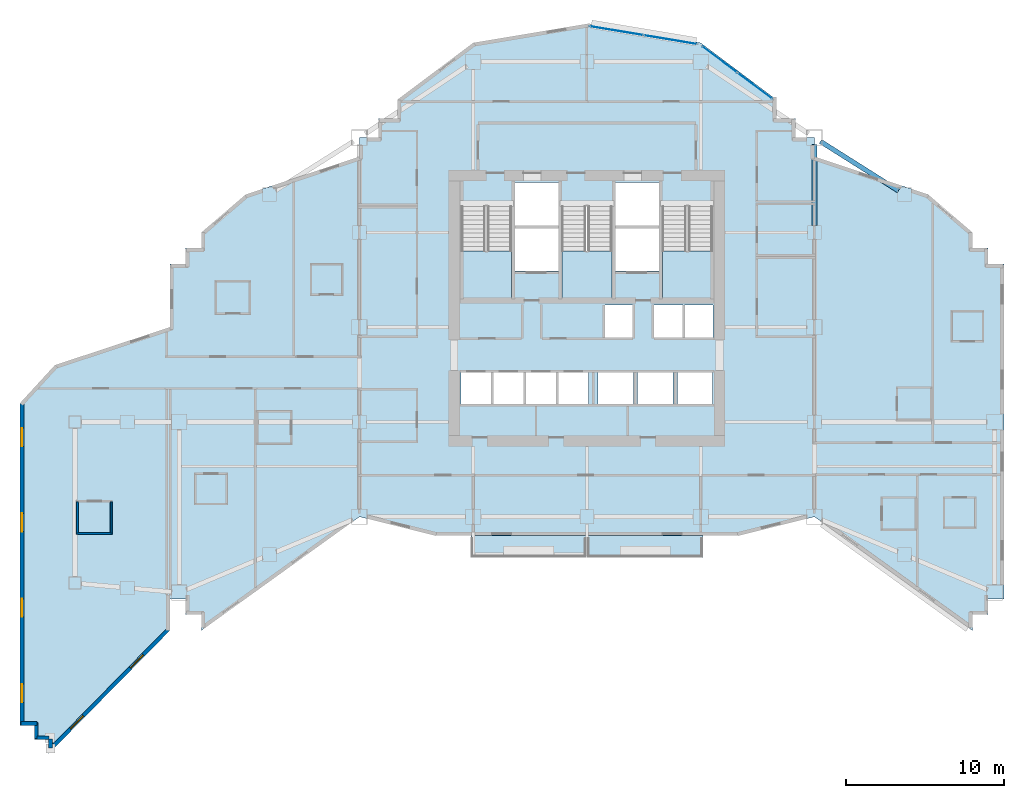
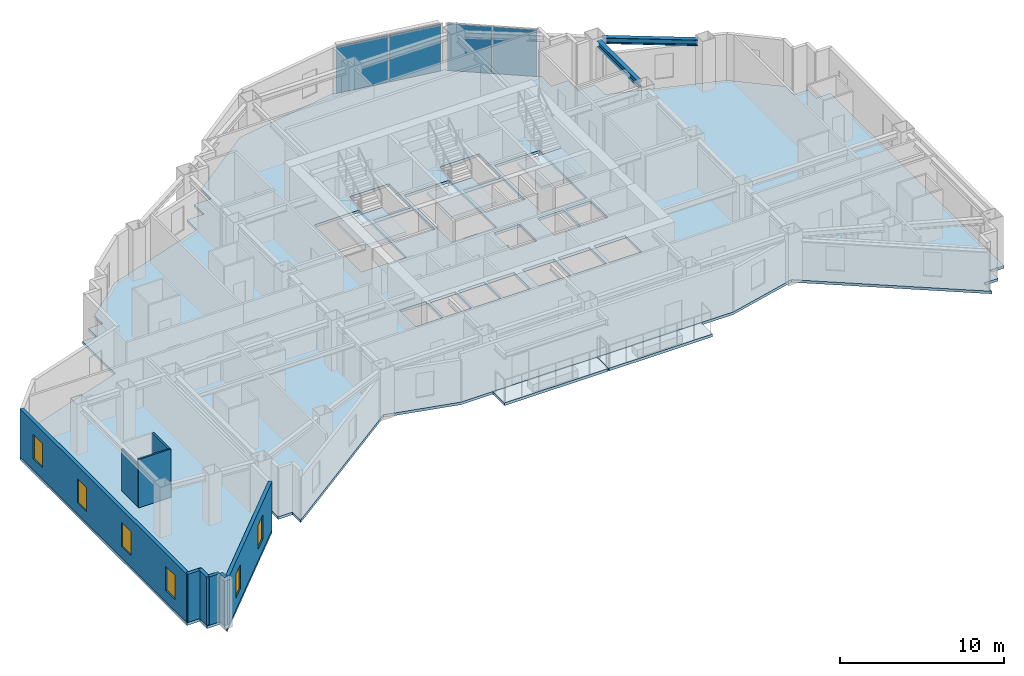
# One storey, part 4 of 14: 9 walls, 6 slabs, 6 windows, 4 plates, 2 beams, 6 openings, 5 elements without a shape of their own.
"""IFC4 building model written with IfcOpenShell, lengths in metres."""

import ifcopenshell
import ifcopenshell.guid

model = None  # the IFC model being written
_history = None  # IfcOwnerHistory: only IFC2X3 demands one
_inside = {}  # id of a spatial element -> (the spatial element, [elements in it])
_under = {}  # id of a project, library or spatial element -> (it, [spatial elements below it])
_declared = {}  # id of a project -> (the project, [libraries it declares])
_typed = {}  # id of a type object -> (the type object, [elements of that type])
_made_of = {}  # id of a material, layer set ... -> (it, [elements and type objects made of it])


def new_model(schema):
    """Start an empty IFC model of exactly this schema.

    Asked for "IFC4X3", IfcOpenShell would pick the latest addendum, in which some entities
    have other attributes; the version numbers below select the first issue.
    IFC2X3 requires an IfcOwnerHistory on every rooted entity: one is made here for all.
    """
    global model, _history
    if schema == "IFC4X3":
        model = ifcopenshell.file(schema_version=(4, 3, 0, 0))
    else:
        model = ifcopenshell.file(schema=schema)
    _inside.clear()
    _under.clear()
    _declared.clear()
    _typed.clear()
    _made_of.clear()
    _history = None
    if model.schema == "IFC2X3":
        org = make("IfcOrganization", Name="unknown")
        user = make(
            "IfcPersonAndOrganization",
            ThePerson=make("IfcPerson", FamilyName="unknown"),
            TheOrganization=org,
        )
        app = make(
            "IfcApplication",
            ApplicationDeveloper=org,
            Version="unknown",
            ApplicationFullName="unknown",
            ApplicationIdentifier="unknown",
        )
        _history = make(
            "IfcOwnerHistory",
            OwningUser=user,
            OwningApplication=app,
            ChangeAction="ADDED",
            CreationDate=0,
        )
    return model


def make(cls, **values):
    """One entity of the class cls with the attributes given. An attribute that is None is left unset."""
    return model.create_entity(
        cls, **{name: value for name, value in values.items() if value is not None}
    )


def rooted(cls, **values):
    """An entity with a GlobalId (a new one), such as an element, a storey or a relation."""
    return make(cls, GlobalId=ifcopenshell.guid.new(), OwnerHistory=_history, **values)


def si_unit(unit_type, name, prefix=None):
    """IfcSIUnit, for example si_unit("LENGTHUNIT", "METRE", prefix="MILLI")."""
    return make("IfcSIUnit", UnitType=unit_type, Prefix=prefix, Name=name)


def assignment(units):
    """IfcUnitAssignment: the units of a project."""
    return None if units is None else make("IfcUnitAssignment", Units=units)


def point(xyz):
    """IfcCartesianPoint."""
    return None if xyz is None else make("IfcCartesianPoint", Coordinates=xyz)


def direction(xyz):
    """IfcDirection."""
    return None if xyz is None else make("IfcDirection", DirectionRatios=xyz)


def frame(location, z_axis=None, x_axis=None):
    """IfcAxis2Placement3D, a coordinate frame: its origin and axes. An axis left out is left unset."""
    return make(
        "IfcAxis2Placement3D",
        Location=point(location),
        Axis=direction(z_axis),
        RefDirection=direction(x_axis),
    )


def frame_2d(location, x_axis=None):
    """IfcAxis2Placement2D, a coordinate frame in the plane: its origin and x axis."""
    return make(
        "IfcAxis2Placement2D", Location=point(location), RefDirection=direction(x_axis)
    )


def origin():
    """The frame at (0, 0, 0) with its axes left unset."""
    return frame((0.0, 0.0, 0.0))


def origin_2d():
    """The frame at (0, 0) in the plane with its x axis left unset."""
    return frame_2d((0.0, 0.0))


def place(relative_to, where):
    """IfcLocalPlacement: puts the frame where relative to a parent placement (None: the world)."""
    return make(
        "IfcLocalPlacement", PlacementRelTo=relative_to, RelativePlacement=where
    )


def context(
    kind, dimensions, precision=None, world=None, true_north=None, identifier=None
):
    """IfcGeometricRepresentationContext, for example the 3D "Model" context."""
    return make(
        "IfcGeometricRepresentationContext",
        ContextIdentifier=identifier,
        ContextType=kind,
        CoordinateSpaceDimension=dimensions,
        Precision=precision,
        WorldCoordinateSystem=world,
        TrueNorth=true_north,
    )


def subcontext(parent, identifier, kind, view, scale=None):
    """IfcGeometricRepresentationSubContext, for example "Body" below "Model"."""
    return make(
        "IfcGeometricRepresentationSubContext",
        ContextIdentifier=identifier,
        ContextType=kind,
        ParentContext=parent,
        TargetScale=scale,
        TargetView=view,
    )


def project(units=None, contexts=None):
    """IfcProject with its units and contexts."""
    return rooted(
        "IfcProject",
        Name="project",
        RepresentationContexts=contexts,
        UnitsInContext=assignment(units),
    )


def spatial(cls, under=None, at=None, **own):
    """A site, building, storey or space (cls), placed at a placement, below another one or the project."""
    s = rooted(cls, ObjectPlacement=at, **own)
    if under is not None:
        _under.setdefault(under.id(), (under, []))[1].append(s)
    return s


def polyline(points):
    """IfcPolyline through the points."""
    return make("IfcPolyline", Points=[point(p) for p in points])


def profile(cls, at=None, kind="AREA", **sizes):
    """A parametric profile (cls). Its sizes go by their IFC names, for example OverallWidth=200.0."""
    return make(cls, ProfileType=kind, Position=at, **sizes)


def rectangle(**sizes):
    """IfcRectangleProfileDef."""
    return profile("IfcRectangleProfileDef", **sizes)


def i_section(**sizes):
    """IfcIShapeProfileDef."""
    return profile("IfcIShapeProfileDef", **sizes)


def outline(outer, holes=None, kind="AREA"):
    """IfcArbitraryClosedProfileDef: a profile drawn as a closed curve; with holes, ...WithVoids."""
    if holes is None:
        return make("IfcArbitraryClosedProfileDef", ProfileType=kind, OuterCurve=outer)
    return make(
        "IfcArbitraryProfileDefWithVoids",
        ProfileType=kind,
        OuterCurve=outer,
        InnerCurves=holes,
    )


def extrude(swept, where, along, depth):
    """IfcExtrudedAreaSolid: the profile swept, set in the frame where, extruded along a direction by depth."""
    return make(
        "IfcExtrudedAreaSolid",
        SweptArea=swept,
        Position=where,
        ExtrudedDirection=direction(along),
        Depth=depth,
    )


def shape(context_of_items, identifier, shape_type, items):
    """IfcShapeRepresentation: the items that make up one representation, for example the "Body"."""
    return make(
        "IfcShapeRepresentation",
        ContextOfItems=context_of_items,
        RepresentationIdentifier=identifier,
        RepresentationType=shape_type,
        Items=items,
    )


def material(Name=None, Category=None):
    """IfcMaterial."""
    return make("IfcMaterial", Name=Name, Category=Category)


def layer(
    of_material, thickness, ventilated=None, Name=None, Category=None, Priority=None
):
    """IfcMaterialLayer: one layer of a wall or slab, of a material (None: an air gap)."""
    return make(
        "IfcMaterialLayer",
        Material=of_material,
        LayerThickness=thickness,
        IsVentilated=ventilated,
        Name=Name,
        Category=Category,
        Priority=Priority,
    )


def layer_set(layers, Name=None):
    """IfcMaterialLayerSet."""
    return make("IfcMaterialLayerSet", MaterialLayers=layers, LayerSetName=Name)


def material_profile(
    of_material, cross_section, Name=None, Category=None, Priority=None
):
    """IfcMaterialProfile: a cross section and its material."""
    return make(
        "IfcMaterialProfile",
        Name=Name,
        Material=of_material,
        Profile=cross_section,
        Priority=Priority,
        Category=Category,
    )


def profile_set(profiles, Name=None, composite=None):
    """IfcMaterialProfileSet."""
    return make(
        "IfcMaterialProfileSet",
        Name=Name,
        MaterialProfiles=profiles,
        CompositeProfile=composite,
    )


def made_of(thing, what):
    """Note that an element or type object is made of a material, layer set ...; save() writes the relation."""
    if what is not None:
        _made_of.setdefault(what.id(), (what, []))[1].append(thing)
    return thing


def type_object(cls, material=None, **own):
    """A type object (cls), such as IfcWallType, which elements share."""
    return made_of(rooted(cls, **own), material)


def element(
    cls,
    number,
    at=None,
    inside=None,
    cuts=None,
    type_object=None,
    material=None,
    context=None,
    identifier="Body",
    shape_type=None,
    held_by="IfcProductDefinitionShape",
    body=None,
    shapes=None,
    **own,
):
    """One element of the class cls, such as IfcWall. Its Tag is "e" and its number.

    at: its placement. inside: the storey or other place that contains it. cuts: it is an
    opening in that element (IfcRelVoidsElement). A single representation is given by context,
    identifier, shape_type and body (its items); several are given by shapes. held_by: the class
    of the entity that holds the representations. save() writes the other relations.
    """
    e = rooted(cls, Tag="e%d" % number, ObjectPlacement=at, **own)
    if body is not None:
        shapes = [shape(context, identifier, shape_type, body)]
    if shapes is not None:
        e.Representation = make(held_by, Representations=shapes)
    if inside is not None:
        _inside.setdefault(inside.id(), (inside, []))[1].append(e)
    if cuts is not None:
        rooted(
            "IfcRelVoidsElement", RelatingBuildingElement=cuts, RelatedOpeningElement=e
        )
    if type_object is not None:
        _typed.setdefault(type_object.id(), (type_object, []))[1].append(e)
    return made_of(e, material)


def fill(opening, filler):
    """IfcRelFillsElement: the door or window that sits in an opening."""
    return rooted(
        "IfcRelFillsElement",
        RelatingOpeningElement=opening,
        RelatedBuildingElement=filler,
    )


def aggregate(whole, parts):
    """IfcRelAggregates: a whole, such as a stair, and the parts it consists of."""
    return rooted("IfcRelAggregates", RelatingObject=whole, RelatedObjects=parts)


def save(model, path):
    """Write the relations noted so far, then the file.

    IfcRelAggregates (storeys below a building ...), IfcRelContainedInSpatialStructure (elements
    in a storey), IfcRelDefinesByType, IfcRelAssociatesMaterial and IfcRelDeclares: one each for
    every whole, place, type object, material and project.
    """
    for whole, parts in _under.values():
        aggregate(whole, parts)
    for where, things in _inside.values():
        rooted(
            "IfcRelContainedInSpatialStructure",
            RelatedElements=things,
            RelatingStructure=where,
        )
    for kind, things in _typed.values():
        rooted("IfcRelDefinesByType", RelatedObjects=things, RelatingType=kind)
    for what, things in _made_of.values():
        rooted("IfcRelAssociatesMaterial", RelatedObjects=things, RelatingMaterial=what)
    for by, libraries in _declared.values():
        rooted("IfcRelDeclares", RelatingContext=by, RelatedDefinitions=libraries)
    model.write(path)


model = new_model("IFC4")

# Units and contexts
model_context = context("Model", 3, precision=1e-05, world=origin(), true_north=direction((0.0, 1.0)))
body_context = subcontext(model_context, "Body", "Model", "MODEL_VIEW")
ifc_project = project(units=[si_unit("LENGTHUNIT", "METRE"), si_unit("AREAUNIT", "SQUARE_METRE"), si_unit("VOLUMEUNIT", "CUBIC_METRE"), si_unit("PLANEANGLEUNIT", "RADIAN"), si_unit("MASSUNIT", "GRAM", prefix="KILO")], contexts=[model_context])

# Site, building, storey
site_placement = place(None, origin())
site = spatial("IfcSite", under=ifc_project, at=site_placement, CompositionType="ELEMENT")
building_placement = place(site_placement, origin())
building = spatial("IfcBuilding", under=site, at=building_placement, Name="Haolan Belvedere Tower", CompositionType="ELEMENT")
storey_placement = place(building_placement, frame((0.0, 0.0, 109.800048828125)))
storey = spatial("IfcBuildingStorey", under=building, at=storey_placement, Name="L27", CompositionType="ELEMENT", Elevation=109.800048828125)

# Beams
ifc_material_1 = material(Name="Steel Q355B", Category="steel")
ifc_material_profile = material_profile(ifc_material_1, i_section(OverallWidth=0.300048828125, OverallDepth=0.43994140625, WebThickness=0.010986328125, FlangeThickness=0.01806640625, FilletRadius=0.02392578125, at=origin_2d()), Name="Steel Q355B")
ifc_profile_set = profile_set([ifc_material_profile], Name="Steel Q355B")
beam_type = type_object("IfcBeamType", Name="BM-HM440x300x11x18", PredefinedType="SPANDREL", material=ifc_profile_set)
beam_1_placement = place(storey_placement, frame((52.800048828125, 40.050048828125, 3.3798828125), z_axis=(0.0, 1.0, 0.0), x_axis=(-1.0, 0.0, 0.0)))
element("IfcBeam", 1, at=beam_1_placement, inside=storey, type_object=beam_type, Name="L27 spandrel girder TC-T3-E2-MC-T3-NE", PredefinedType="SPANDREL", context=body_context, shape_type="SweptSolid", body=[
    extrude(i_section(OverallWidth=0.300048828125, OverallDepth=0.43994140625, WebThickness=0.010986328125, FlangeThickness=0.01806640625, FilletRadius=0.02392578125, at=origin_2d()), origin(), (0.0, 0.0, 1.0), 5.099853515625),
])
beam_2_placement = place(storey_placement, frame((53.180419921875, 45.359619140625, 3.3798828125), z_axis=(0.845497840649, -0.533978839898, 0.0), x_axis=(0.533978839898, 0.845497840649, 0.0)))
element("IfcBeam", 2, at=beam_2_placement, inside=storey, type_object=beam_type, Name="L27 spandrel girder MC-T3-NE-TC-T4-N1", PredefinedType="SPANDREL", context=body_context, shape_type="SweptSolid", body=[
    extrude(i_section(OverallWidth=0.300048828125, OverallDepth=0.43994140625, WebThickness=0.010986328125, FlangeThickness=0.01806640625, FilletRadius=0.02392578125, at=origin_2d()), origin(), (0.0, 0.0, 1.0), 5.841796875),
])

# Curtain wall, plates
ifc_material_2 = material(Name="Anodised champagne-silver aluminium 6063-T6 and Low-E glass", Category="aluminium")
ifc_layer_1 = layer(ifc_material_2, 0.155029296875, Name="Anodised champagne-silver aluminium 6063-T6 and Low-E glass")
ifc_layer_set_1 = layer_set([ifc_layer_1], Name="Anodised champagne-silver aluminium 6063-T6 and Low-E glass")
curtain_wall_type = type_object("IfcCurtainWallType", Name="CW-SYS-03", PredefinedType="NOTDEFINED", material=ifc_layer_set_1)
curtain_wall_1_placement = place(storey_placement, origin())
curtain_wall_1 = element("IfcCurtainWall", 3, at=curtain_wall_1_placement, inside=storey, type_object=curtain_wall_type, Name="L27 CW-SYS-03 ribbon curtain wall 26.1", PredefinedType="NOTDEFINED")
ifc_material_3 = material(Name="Double silver Low-E laminated insulating glass", Category="glass")
ifc_layer_2 = layer(ifc_material_3, 0.02392578125, Name="Double silver Low-E laminated insulating glass")
ifc_layer_set_2 = layer_set([ifc_layer_2], Name="Double silver Low-E laminated insulating glass")
plate_type = type_object("IfcPlateType", Name="CW-SYS-03-PNL", PredefinedType="CURTAIN_PANEL", material=ifc_layer_set_2)
plate_1_placement = place(storey_placement, frame((49.0302734375, 48.877197265625, 0.05419921875), z_axis=(0.0, 0.0, 1.0), x_axis=(-0.800004262313, 0.599994316874, 0.0)))
plate_1 = element("IfcPlate", 4, at=plate_1_placement, type_object=plate_type, Name="CW-03 panel 1.1", PredefinedType="CURTAIN_PANEL", context=body_context, shape_type="SweptSolid", body=[
    extrude(rectangle(XDim=2.728271484375, YDim=0.02392578125, at=origin_2d()), origin(), (0.0, 0.0, 1.0), 3.491943359375),
])
plate_2_placement = place(storey_placement, frame((46.80126953125, 50.549072265625, 0.05419921875), z_axis=(0.0, 0.0, 1.0), x_axis=(-0.800004262313, 0.599994316874, 0.0)))
plate_2 = element("IfcPlate", 5, at=plate_2_placement, type_object=plate_type, Name="CW-03 panel 2.1", PredefinedType="CURTAIN_PANEL", context=body_context, shape_type="SweptSolid", body=[
    extrude(rectangle(XDim=2.728271484375, YDim=0.02392578125, at=origin_2d()), origin(), (0.0, 0.0, 1.0), 3.491943359375),
])
aggregate(curtain_wall_1, [plate_1, plate_2])

curtain_wall_2_placement = place(storey_placement, origin())
curtain_wall_2 = element("IfcCurtainWall", 6, at=curtain_wall_2_placement, inside=storey, type_object=curtain_wall_type, Name="L27 CW-SYS-03 ribbon curtain wall 27.1", PredefinedType="NOTDEFINED")
plate_3_placement = place(storey_placement, frame((43.68017578125, 51.79833984375, 0.05419921875), z_axis=(0.0, 0.0, 1.0), x_axis=(-0.9863931483, 0.16440364043, 0.0)))
plate_3 = element("IfcPlate", 7, at=plate_3_placement, type_object=plate_type, Name="CW-03 panel 1.1", PredefinedType="CURTAIN_PANEL", context=body_context, shape_type="SweptSolid", body=[
    extrude(rectangle(XDim=3.39794921875, YDim=0.02392578125, at=origin_2d()), origin(), (0.0, 0.0, 1.0), 3.491943359375),
])
plate_4_placement = place(storey_placement, frame((40.271240234375, 52.366455078125, 0.05419921875), z_axis=(0.0, 0.0, 1.0), x_axis=(-0.9863931483, 0.16440364043, 0.0)))
plate_4 = element("IfcPlate", 8, at=plate_4_placement, type_object=plate_type, Name="CW-03 panel 2.1", PredefinedType="CURTAIN_PANEL", context=body_context, shape_type="SweptSolid", body=[
    extrude(rectangle(XDim=3.39794921875, YDim=0.02392578125, at=origin_2d()), origin(), (0.0, 0.0, 1.0), 3.491943359375),
])
aggregate(curtain_wall_2, [plate_3, plate_4])

# Slabs
ifc_material_4 = material(Name="Concrete C40/50", Category="concrete")
ifc_layer_3 = layer(ifc_material_4, 0.2099609375, Name="Concrete C40/50")
ifc_layer_set_3 = layer_set([ifc_layer_3], Name="Concrete C40/50")
slab_type_1 = type_object("IfcSlabType", Name="SL-BAL-210", PredefinedType="FLOOR", material=ifc_layer_set_3)
slab_1_placement = place(storey_placement, frame((0.0, 0.0, -0.22998046875)))
element("IfcSlab", 9, at=slab_1_placement, inside=storey, type_object=slab_type_1, Name="L27 structural tree-planter balcony slab BAL-L27-S1", PredefinedType="FLOOR", context=body_context, shape_type="SweptSolid", body=[
    extrude(outline(polyline([(31.050048828125, 19.02001953125), (38.3798828125, 19.02001953125), (38.3798828125, 20.39990234375), (31.050048828125, 20.39990234375), (31.050048828125, 19.02001953125)])), origin(), (0.0, 0.0, 1.0), 0.2099609375),
])
slab_2_placement = place(storey_placement, frame((0.0, 0.0, -0.22998046875)))
element("IfcSlab", 10, at=slab_2_placement, inside=storey, type_object=slab_type_1, Name="L27 structural tree-planter balcony slab BAL-L27-S2", PredefinedType="FLOOR", context=body_context, shape_type="SweptSolid", body=[
    extrude(outline(polyline([(38.419921875, 19.02001953125), (45.75, 19.02001953125), (45.75, 20.39990234375), (38.419921875, 20.39990234375), (38.419921875, 19.02001953125)])), origin(), (0.0, 0.0, 1.0), 0.2099609375),
])
ifc_layer_4 = layer(ifc_material_4, 0.199951171875, Name="Concrete C40/50")
ifc_layer_set_4 = layer_set([ifc_layer_4], Name="Concrete C40/50")
slab_type_2 = type_object("IfcSlabType", Name="SL-FLR-200", PredefinedType="FLOOR", material=ifc_layer_set_4)
slab_3_placement = place(storey_placement, frame((0.0, 0.0, -0.199951171875)))
element("IfcSlab", 11, at=slab_3_placement, inside=storey, type_object=slab_type_2, Name="L27 structural floor slab", PredefinedType="FLOOR", context=body_context, shape_type="SweptSolid", body=[
    extrude(outline(polyline([(12.0, 14.39990234375), (12.0, 16.39990234375), (13.0, 16.39990234375), (13.0, 15.39990234375), (14.0, 15.39990234375), (14.0, 14.39990234375), (24.0, 21.60009765625), (28.800048828125, 20.39990234375), (48.0, 20.39990234375), (52.800048828125, 21.60009765625), (62.800048828125, 14.39990234375), (62.800048828125, 15.39990234375), (63.800048828125, 15.39990234375), (63.800048828125, 16.39990234375), (64.800048828125, 16.39990234375), (64.800048828125, 37.60009765625), (63.800048828125, 37.60009765625), (63.800048828125, 38.60009765625), (62.800048828125, 38.60009765625), (62.800048828125, 39.60009765625), (60.0, 42.0), (52.800048828125, 44.39990234375), (52.800048828125, 45.60009765625), (51.60009765625, 45.60009765625), (51.60009765625, 46.800048828125), (50.39990234375, 46.800048828125), (50.39990234375, 48.0), (45.60009765625, 51.60009765625), (38.39990234375, 52.800048828125), (31.199951171875, 51.60009765625), (26.39990234375, 48.0), (26.39990234375, 46.800048828125), (25.199951171875, 46.800048828125), (25.199951171875, 45.60009765625), (24.0, 45.60009765625), (24.0, 44.39990234375), (16.800048828125, 42.0), (14.0, 39.60009765625), (14.0, 38.60009765625), (13.0, 38.60009765625), (13.0, 37.60009765625), (12.0, 37.60009765625), (12.0, 33.60009765625), (4.719970703125, 31.199951171875), (2.52001953125, 28.800048828125), (2.52001953125, 8.993896484375), (2.52001953125, 8.39404296875), (3.419921875, 8.39404296875), (3.419921875, 7.493896484375), (4.320068359375, 7.493896484375), (4.320068359375, 6.593994140625), (12.0, 14.39990234375)]), holes=[polyline([(30.449951171875, 41.22998046875), (30.449951171875, 35.449951171875), (33.6298828125, 35.449951171875), (33.6298828125, 41.22998046875), (30.449951171875, 41.22998046875)]), polyline([(36.81005859375, 41.22998046875), (36.81005859375, 35.449951171875), (39.989990234375, 35.449951171875), (39.989990234375, 41.22998046875), (36.81005859375, 41.22998046875)]), polyline([(43.169921875, 41.22998046875), (43.169921875, 35.449951171875), (46.35009765625, 35.449951171875), (46.35009765625, 41.22998046875), (43.169921875, 41.22998046875)]), polyline([(33.830078125, 40.050048828125), (36.610107421875, 40.050048828125), (36.610107421875, 42.75), (33.830078125, 42.75), (33.830078125, 40.050048828125)]), polyline([(33.830078125, 37.14990234375), (36.610107421875, 37.14990234375), (36.610107421875, 39.85009765625), (33.830078125, 39.85009765625), (33.830078125, 37.14990234375)]), polyline([(40.18994140625, 40.050048828125), (42.969970703125, 40.050048828125), (42.969970703125, 42.75), (40.18994140625, 42.75), (40.18994140625, 40.050048828125)]), polyline([(40.18994140625, 37.14990234375), (42.969970703125, 37.14990234375), (42.969970703125, 39.85009765625), (40.18994140625, 39.85009765625), (40.18994140625, 37.14990234375)]), polyline([(39.5400390625, 32.949951171875), (41.389892578125, 32.949951171875), (41.389892578125, 35.0), (39.5400390625, 35.0), (39.5400390625, 32.949951171875)]), polyline([(42.6201171875, 32.949951171875), (44.469970703125, 32.949951171875), (44.469970703125, 35.0), (42.6201171875, 35.0), (42.6201171875, 32.949951171875)]), polyline([(44.580078125, 32.949951171875), (46.3798828125, 32.949951171875), (46.3798828125, 35.0), (44.580078125, 35.0), (44.580078125, 32.949951171875)]), polyline([(30.419921875, 28.75), (32.320068359375, 28.75), (32.320068359375, 30.75), (30.419921875, 30.75), (30.419921875, 28.75)]), polyline([(32.47998046875, 28.75), (34.3798828125, 28.75), (34.3798828125, 30.75), (32.47998046875, 30.75), (32.47998046875, 28.75)]), polyline([(34.5400390625, 28.75), (36.43994140625, 28.75), (36.43994140625, 30.75), (34.5400390625, 30.75), (34.5400390625, 28.75)]), polyline([(36.60009765625, 28.75), (38.5, 28.75), (38.5, 30.75), (36.60009765625, 30.75), (36.60009765625, 28.75)]), polyline([(39.10009765625, 28.75), (41.340087890625, 28.75), (41.340087890625, 30.75), (39.10009765625, 30.75), (39.10009765625, 28.75)]), polyline([(41.610107421875, 28.75), (43.85009765625, 28.75), (43.85009765625, 30.75), (41.610107421875, 30.75), (41.610107421875, 28.75)]), polyline([(44.1201171875, 28.75), (46.360107421875, 28.75), (46.360107421875, 30.75), (44.1201171875, 30.75), (44.1201171875, 28.75)])]), origin(), (0.0, 0.0, 1.0), 0.199951171875),
])

# Stair, slab
stair_type = type_object("IfcStairType", Name="STR-DL-22R-173", PredefinedType="HALF_TURN_STAIR", material=ifc_material_4)
stair_1_placement = place(storey_placement, origin())
stair_1 = element("IfcStair", 12, at=stair_1_placement, inside=storey, type_object=stair_type, Name="L27 Smokeproof Core Exit Stair ST1", PredefinedType="HALF_TURN_STAIR")
ifc_layer_5 = layer(ifc_material_4, 0.199951171875, Name="Concrete C40/50")
ifc_layer_set_5 = layer_set([ifc_layer_5], Name="Concrete C40/50")
slab_type_3 = type_object("IfcSlabType", Name="SL-LAND-200", PredefinedType="LANDING", material=ifc_layer_set_5)
slab_4_placement = place(storey_placement, frame((0.0, 0.0, 1.699951171875)))
slab_4 = element("IfcSlab", 13, at=slab_4_placement, type_object=slab_type_3, Name="ST1 landing 1", PredefinedType="LANDING", context=body_context, shape_type="SweptSolid", body=[
    extrude(outline(polyline([(30.449951171875, 38.429931640625), (30.449951171875, 35.449951171875), (33.6298828125, 35.449951171875), (33.6298828125, 38.429931640625), (30.449951171875, 38.429931640625)])), origin(), (0.0, 0.0, 1.0), 0.199951171875),
])
aggregate(stair_1, [slab_4])

stair_2_placement = place(storey_placement, origin())
stair_2 = element("IfcStair", 14, at=stair_2_placement, inside=storey, type_object=stair_type, Name="L27 Smokeproof Core Exit Stair ST3", PredefinedType="HALF_TURN_STAIR")
slab_5_placement = place(storey_placement, frame((0.0, 0.0, 1.699951171875)))
slab_5 = element("IfcSlab", 15, at=slab_5_placement, type_object=slab_type_3, Name="ST3 landing 1", PredefinedType="LANDING", context=body_context, shape_type="SweptSolid", body=[
    extrude(outline(polyline([(36.81005859375, 38.429931640625), (36.81005859375, 35.449951171875), (39.989990234375, 35.449951171875), (39.989990234375, 38.429931640625), (36.81005859375, 38.429931640625)])), origin(), (0.0, 0.0, 1.0), 0.199951171875),
])
aggregate(stair_2, [slab_5])

stair_3_placement = place(storey_placement, origin())
stair_3 = element("IfcStair", 16, at=stair_3_placement, inside=storey, type_object=stair_type, Name="L27 Smokeproof Core Exit Stair ST2", PredefinedType="HALF_TURN_STAIR")
slab_6_placement = place(storey_placement, frame((0.0, 0.0, 1.699951171875)))
slab_6 = element("IfcSlab", 17, at=slab_6_placement, type_object=slab_type_3, Name="ST2 landing 1", PredefinedType="LANDING", context=body_context, shape_type="SweptSolid", body=[
    extrude(outline(polyline([(43.169921875, 38.429931640625), (43.169921875, 35.449951171875), (46.35009765625, 35.449951171875), (46.35009765625, 38.429931640625), (43.169921875, 38.429931640625)])), origin(), (0.0, 0.0, 1.0), 0.199951171875),
])
aggregate(stair_3, [slab_6])

# Wall, openings, windows
ifc_material_5 = material(Name="Precast concrete C40/50", Category="concrete")
ifc_layer_6 = layer(ifc_material_5, 0.239990234375, Name="Precast concrete C40/50")
ifc_layer_set_6 = layer_set([ifc_layer_6], Name="Precast concrete C40/50")
wall_type_1 = type_object("IfcWallType", Name="WL-EXT-240", PredefinedType="SOLIDWALL", material=ifc_layer_set_6)
wall_1_placement = place(storey_placement, frame((2.639892578125, 28.808349609375, 0.0), z_axis=(0.0, 0.0, 1.0), x_axis=(0.0, -1.0, 0.0)))
wall_1 = element("IfcWall", 18, at=wall_1_placement, inside=storey, type_object=wall_type_1, Name="L27 pale-metal exterior spandrel wall 44.1", PredefinedType="SOLIDWALL", context=body_context, shape_type="SweptSolid", body=[
    extrude(rectangle(XDim=20.349365234375, YDim=0.239990234375, at=frame_2d((10.1748046875, 0.0))), origin(), (0.0, 0.0, 1.0), 3.599853515625),
])
opening_1_placement = place(wall_1_placement, frame((1.60009765625, 0.0, 0.85009765625)))
opening_1 = element("IfcOpeningElement", 19, at=opening_1_placement, cuts=wall_1, Name="Opening W-02", PredefinedType="OPENING", context=body_context, shape_type="SweptSolid", body=[
    extrude(rectangle(XDim=1.14990234375, YDim=1.800048828125, at=frame_2d((0.574951171875, 0.89990234375))), frame((0.0, 0.1298828125, 0.0), z_axis=(0.0, -1.0, 0.0), x_axis=(1.0, 0.0, 0.0)), (0.0, 0.0, 1.0), 0.260009765625),
])
opening_2_placement = place(wall_1_placement, frame((7.0, 0.0, 0.85009765625)))
opening_2 = element("IfcOpeningElement", 20, at=opening_2_placement, cuts=wall_1, Name="Opening W-02", PredefinedType="OPENING", context=body_context, shape_type="SweptSolid", body=[
    extrude(rectangle(XDim=1.14990234375, YDim=1.800048828125, at=frame_2d((0.574951171875, 0.89990234375))), frame((0.0, 0.1298828125, 0.0), z_axis=(0.0, -1.0, 0.0), x_axis=(1.0, 0.0, 0.0)), (0.0, 0.0, 1.0), 0.260009765625),
])
opening_3_placement = place(wall_1_placement, frame((12.39990234375, 0.0, 0.85009765625)))
opening_3 = element("IfcOpeningElement", 21, at=opening_3_placement, cuts=wall_1, Name="Opening W-02", PredefinedType="OPENING", context=body_context, shape_type="SweptSolid", body=[
    extrude(rectangle(XDim=1.14990234375, YDim=1.800048828125, at=frame_2d((0.574951171875, 0.89990234375))), frame((0.0, 0.1298828125, 0.0), z_axis=(0.0, -1.0, 0.0), x_axis=(1.0, 0.0, 0.0)), (0.0, 0.0, 1.0), 0.260009765625),
])
opening_4_placement = place(wall_1_placement, frame((17.800048828125, 0.0, 0.85009765625)))
opening_4 = element("IfcOpeningElement", 22, at=opening_4_placement, cuts=wall_1, Name="Opening W-02", PredefinedType="OPENING", context=body_context, shape_type="SweptSolid", body=[
    extrude(rectangle(XDim=1.14990234375, YDim=1.800048828125, at=frame_2d((0.574951171875, 0.89990234375))), frame((0.0, 0.1298828125, 0.0), z_axis=(0.0, -1.0, 0.0), x_axis=(1.0, 0.0, 0.0)), (0.0, 0.0, 1.0), 0.260009765625),
])
ifc_material_6 = material(Name="Anodised aluminium 6063-T6 and Low-E glass", Category="aluminium")
window_type = type_object("IfcWindowType", Name="WN-DECO-Z2", PartitioningType="SINGLE_PANEL", PredefinedType="WINDOW", material=ifc_material_6)
window_1_placement = place(opening_1_placement, origin())
window_1 = element("IfcWindow", 23, at=window_1_placement, inside=storey, type_object=window_type, Name="L27 Art Deco chevron window 1", OverallHeight=1.800048828125, OverallWidth=1.14990234375, PartitioningType="SINGLE_PANEL", PredefinedType="WINDOW", context=body_context, shape_type="SweptSolid", body=[
    extrude(rectangle(XDim=1.14990234375, YDim=1.800048828125, at=frame_2d((0.574951171875, 0.89990234375))), frame((0.0, 0.030029296875, 0.0), z_axis=(0.0, -1.0, 0.0), x_axis=(1.0, 0.0, 0.0)), (0.0, 0.0, 1.0), 0.06005859375),
])
fill(opening_1, window_1)
window_2_placement = place(opening_2_placement, origin())
window_2 = element("IfcWindow", 24, at=window_2_placement, inside=storey, type_object=window_type, Name="L27 Art Deco chevron window 2", OverallHeight=1.800048828125, OverallWidth=1.14990234375, PartitioningType="SINGLE_PANEL", PredefinedType="WINDOW", context=body_context, shape_type="SweptSolid", body=[
    extrude(rectangle(XDim=1.14990234375, YDim=1.800048828125, at=frame_2d((0.574951171875, 0.89990234375))), frame((0.0, 0.030029296875, 0.0), z_axis=(0.0, -1.0, 0.0), x_axis=(1.0, 0.0, 0.0)), (0.0, 0.0, 1.0), 0.06005859375),
])
fill(opening_2, window_2)
window_3_placement = place(opening_3_placement, origin())
window_3 = element("IfcWindow", 25, at=window_3_placement, inside=storey, type_object=window_type, Name="L27 Art Deco chevron window 3", OverallHeight=1.800048828125, OverallWidth=1.14990234375, PartitioningType="SINGLE_PANEL", PredefinedType="WINDOW", context=body_context, shape_type="SweptSolid", body=[
    extrude(rectangle(XDim=1.14990234375, YDim=1.800048828125, at=frame_2d((0.574951171875, 0.89990234375))), frame((0.0, 0.030029296875, 0.0), z_axis=(0.0, -1.0, 0.0), x_axis=(1.0, 0.0, 0.0)), (0.0, 0.0, 1.0), 0.06005859375),
])
fill(opening_3, window_3)
window_4_placement = place(opening_4_placement, origin())
window_4 = element("IfcWindow", 26, at=window_4_placement, inside=storey, type_object=window_type, Name="L27 Art Deco chevron window 4", OverallHeight=1.800048828125, OverallWidth=1.14990234375, PartitioningType="SINGLE_PANEL", PredefinedType="WINDOW", context=body_context, shape_type="SweptSolid", body=[
    extrude(rectangle(XDim=1.14990234375, YDim=1.800048828125, at=frame_2d((0.574951171875, 0.89990234375))), frame((0.0, 0.030029296875, 0.0), z_axis=(0.0, -1.0, 0.0), x_axis=(1.0, 0.0, 0.0)), (0.0, 0.0, 1.0), 0.06005859375),
])
fill(opening_4, window_4)

# Walls
for number, where, z_axis, x_axis, name in (
    (27, (2.5849609375, 8.513916015625, 0.0), (0.0, 0.0, 1.0), (1.0, 0.0, 0.0), "L27 pale-metal exterior spandrel wall 45.1"),
    (28, (3.5400390625, 8.569091796875, 0.0), (0.0, 0.0, 1.0), (0.0, -1.0, 0.0), "L27 pale-metal exterior spandrel wall 46.1"),
):
    element("IfcWall", number, at=place(storey_placement, frame(where, z_axis=z_axis, x_axis=x_axis)), inside=storey, type_object=wall_type_1, Name=name, PredefinedType="SOLIDWALL", context=body_context, shape_type="SweptSolid", body=[
        extrude(rectangle(XDim=1.010009765625, YDim=0.239990234375, at=frame_2d((0.5048828125, 0.0))), origin(), (0.0, 0.0, 1.0), 3.599853515625),
    ])
wall_2_placement = place(storey_placement, frame((3.60498046875, 7.614013671875, 0.0), z_axis=(0.0, 0.0, 1.0), x_axis=(1.0, 0.0, 0.0)))
element("IfcWall", 29, at=wall_2_placement, inside=storey, type_object=wall_type_1, Name="L27 pale-metal exterior spandrel wall 47.1", PredefinedType="SOLIDWALL", context=body_context, shape_type="SweptSolid", body=[
    extrude(rectangle(XDim=0.75, YDim=0.239990234375, at=frame_2d((0.375, 0.0))), origin(), (0.0, 0.0, 1.0), 3.599853515625),
])
wall_3_placement = place(storey_placement, frame((4.43994140625, 7.529052734375, 0.0), z_axis=(0.0, 0.0, 1.0), x_axis=(0.0, -1.0, 0.0)))
element("IfcWall", 30, at=wall_3_placement, inside=storey, type_object=wall_type_1, Name="L27 pale-metal exterior spandrel wall 48.1", PredefinedType="SOLIDWALL", context=body_context, shape_type="SweptSolid", body=[
    extrude(rectangle(XDim=0.556884765625, YDim=0.239990234375, at=frame_2d((0.2783203125, 0.0))), origin(), (0.0, 0.0, 1.0), 3.599853515625),
])

# Wall, openings, windows
wall_4_placement = place(storey_placement, frame((4.59423828125, 7.0439453125, 0.0), z_axis=(0.0, 0.0, 1.0), x_axis=(0.701344347017, 0.712822633554, 0.0)))
wall_4 = element("IfcWall", 31, at=wall_4_placement, inside=storey, type_object=wall_type_1, Name="L27 pale-metal exterior spandrel wall 49.1", PredefinedType="SOLIDWALL", context=body_context, shape_type="SweptSolid", body=[
    extrude(rectangle(XDim=10.443359375, YDim=0.239990234375, at=frame_2d((5.2216796875, 0.0))), origin(), (0.0, 0.0, 1.0), 3.599853515625),
])
opening_5_placement = place(wall_4_placement, frame((1.60009765625, 0.0, 0.85009765625)))
opening_5 = element("IfcOpeningElement", 32, at=opening_5_placement, cuts=wall_4, Name="Opening W-02", PredefinedType="OPENING", context=body_context, shape_type="SweptSolid", body=[
    extrude(rectangle(XDim=1.14990234375, YDim=1.800048828125, at=frame_2d((0.574951171875, 0.89990234375))), frame((0.0, 0.1298828125, 0.0), z_axis=(0.0, -1.0, 0.0), x_axis=(1.0, 0.0, 0.0)), (0.0, 0.0, 1.0), 0.260009765625),
])
opening_6_placement = place(wall_4_placement, frame((7.0, 0.0, 0.85009765625)))
opening_6 = element("IfcOpeningElement", 33, at=opening_6_placement, cuts=wall_4, Name="Opening W-02", PredefinedType="OPENING", context=body_context, shape_type="SweptSolid", body=[
    extrude(rectangle(XDim=1.14990234375, YDim=1.800048828125, at=frame_2d((0.574951171875, 0.89990234375))), frame((0.0, 0.1298828125, 0.0), z_axis=(0.0, -1.0, 0.0), x_axis=(1.0, 0.0, 0.0)), (0.0, 0.0, 1.0), 0.260009765625),
])
window_5_placement = place(opening_5_placement, origin())
window_5 = element("IfcWindow", 34, at=window_5_placement, inside=storey, type_object=window_type, Name="L27 Art Deco chevron window 1", OverallHeight=1.800048828125, OverallWidth=1.14990234375, PartitioningType="SINGLE_PANEL", PredefinedType="WINDOW", context=body_context, shape_type="SweptSolid", body=[
    extrude(rectangle(XDim=1.14990234375, YDim=1.800048828125, at=frame_2d((0.574951171875, 0.89990234375))), frame((0.0, 0.030029296875, 0.0), z_axis=(0.0, -1.0, 0.0), x_axis=(1.0, 0.0, 0.0)), (0.0, 0.0, 1.0), 0.06005859375),
])
fill(opening_5, window_5)
window_6_placement = place(opening_6_placement, origin())
window_6 = element("IfcWindow", 35, at=window_6_placement, inside=storey, type_object=window_type, Name="L27 Art Deco chevron window 2", OverallHeight=1.800048828125, OverallWidth=1.14990234375, PartitioningType="SINGLE_PANEL", PredefinedType="WINDOW", context=body_context, shape_type="SweptSolid", body=[
    extrude(rectangle(XDim=1.14990234375, YDim=1.800048828125, at=frame_2d((0.574951171875, 0.89990234375))), frame((0.0, 0.030029296875, 0.0), z_axis=(0.0, -1.0, 0.0), x_axis=(1.0, 0.0, 0.0)), (0.0, 0.0, 1.0), 0.06005859375),
])
fill(opening_6, window_6)

# Walls
ifc_material_7 = material(Name="Moisture-resistant gypsum tile partition", Category="masonry")
ifc_layer_7 = layer(ifc_material_7, 0.1201171875, Name="Moisture-resistant gypsum tile partition")
ifc_layer_set_7 = layer_set([ifc_layer_7], Name="Moisture-resistant gypsum tile partition")
wall_type_2 = type_object("IfcWallType", Name="WL-WET-120", PredefinedType="PARTITIONING", material=ifc_layer_set_7)
wall_5_placement = place(storey_placement, frame((6.0830078125, 20.541015625, 0.0), z_axis=(0.0, 0.0, 1.0), x_axis=(1.0, 0.0, 0.0)))
element("IfcWall", 36, at=wall_5_placement, inside=storey, type_object=wall_type_2, Name="L27 interior partition IW-L27-T1S1-BS", PredefinedType="PARTITIONING", context=body_context, shape_type="SweptSolid", body=[
    extrude(rectangle(XDim=2.27001953125, YDim=0.1201171875, at=frame_2d((1.135009765625, 0.0))), origin(), (0.0, 0.0, 1.0), 3.599853515625),
])
wall_6_placement = place(storey_placement, frame((6.14306640625, 20.5859375, 0.0), z_axis=(0.0, 0.0, 1.0), x_axis=(0.0, 1.0, 0.0)))
element("IfcWall", 37, at=wall_6_placement, inside=storey, type_object=wall_type_2, Name="L27 interior partition IW-L27-T1S1-BW", PredefinedType="PARTITIONING", context=body_context, shape_type="SweptSolid", body=[
    extrude(rectangle(XDim=1.9599609375, YDim=0.1201171875, at=frame_2d((0.97998046875, 0.0))), origin(), (0.0, 0.0, 1.0), 3.14501953125),
])
wall_7_placement = place(storey_placement, frame((8.29296875, 20.5859375, 0.0), z_axis=(0.0, 0.0, 1.0), x_axis=(0.0, 1.0, 0.0)))
element("IfcWall", 38, at=wall_7_placement, inside=storey, type_object=wall_type_2, Name="L27 interior partition IW-L27-T1S1-BE", PredefinedType="PARTITIONING", context=body_context, shape_type="SweptSolid", body=[
    extrude(rectangle(XDim=1.9599609375, YDim=0.1201171875, at=frame_2d((0.97998046875, 0.0))), origin(), (0.0, 0.0, 1.0), 3.599853515625),
])

save(model, "model.ifc")
